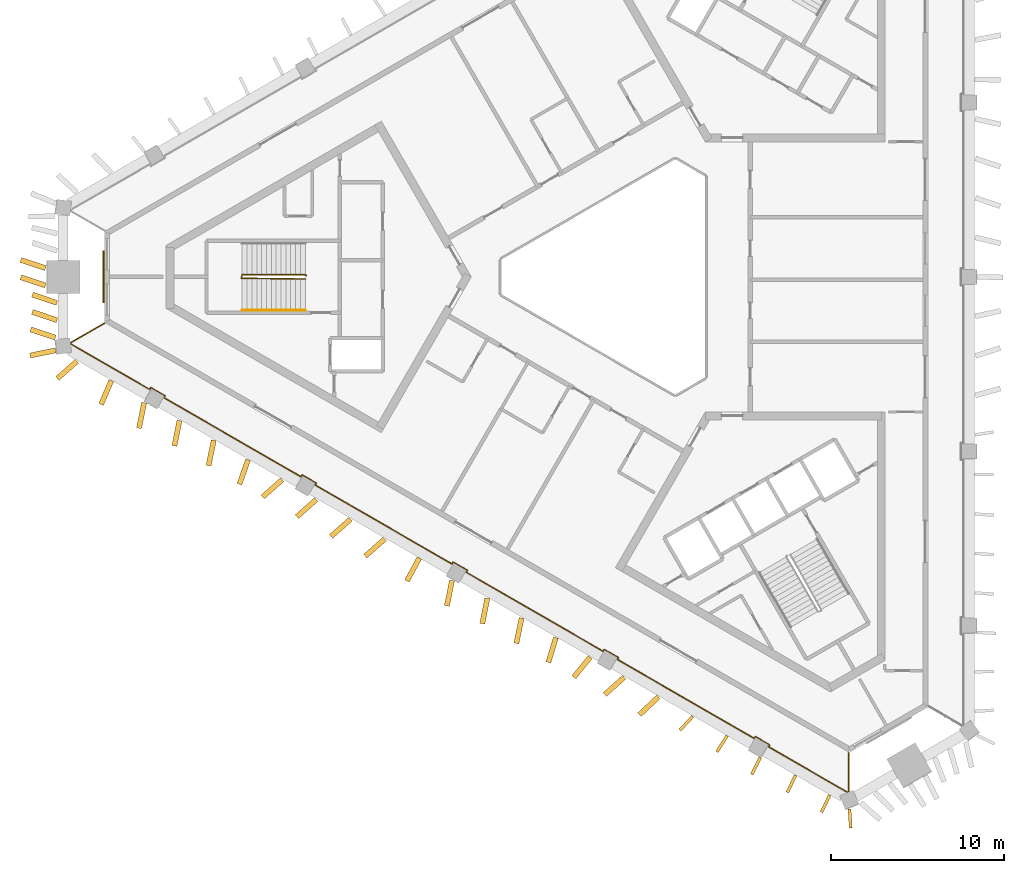
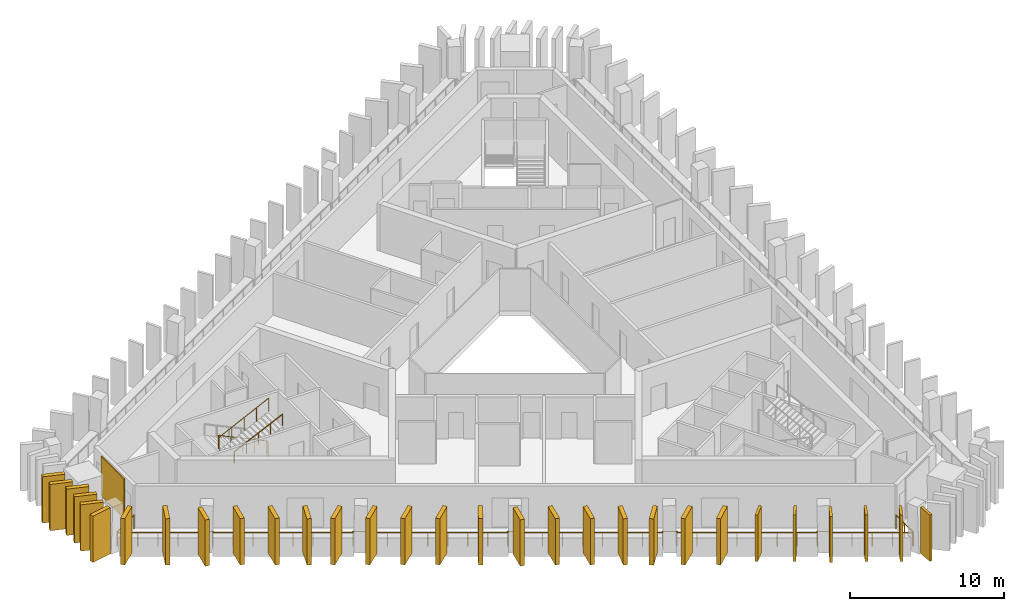
# One storey, part 7 of 9: 30 shading devices, 3 railings, 1 covering.
"""IFC4 building model written with IfcOpenShell, lengths in metres."""

import ifcopenshell
import ifcopenshell.guid

model = None  # the IFC model being written
_history = None  # IfcOwnerHistory: only IFC2X3 demands one
_inside = {}  # id of a spatial element -> (the spatial element, [elements in it])
_under = {}  # id of a project, library or spatial element -> (it, [spatial elements below it])
_declared = {}  # id of a project -> (the project, [libraries it declares])
_typed = {}  # id of a type object -> (the type object, [elements of that type])
_made_of = {}  # id of a material, layer set ... -> (it, [elements and type objects made of it])


def new_model(schema):
    """Start an empty IFC model of exactly this schema.

    Asked for "IFC4X3", IfcOpenShell would pick the latest addendum, in which some entities
    have other attributes; the version numbers below select the first issue.
    IFC2X3 requires an IfcOwnerHistory on every rooted entity: one is made here for all.
    """
    global model, _history
    if schema == "IFC4X3":
        model = ifcopenshell.file(schema_version=(4, 3, 0, 0))
    else:
        model = ifcopenshell.file(schema=schema)
    _inside.clear()
    _under.clear()
    _declared.clear()
    _typed.clear()
    _made_of.clear()
    _history = None
    if model.schema == "IFC2X3":
        org = make("IfcOrganization", Name="unknown")
        user = make(
            "IfcPersonAndOrganization",
            ThePerson=make("IfcPerson", FamilyName="unknown"),
            TheOrganization=org,
        )
        app = make(
            "IfcApplication",
            ApplicationDeveloper=org,
            Version="unknown",
            ApplicationFullName="unknown",
            ApplicationIdentifier="unknown",
        )
        _history = make(
            "IfcOwnerHistory",
            OwningUser=user,
            OwningApplication=app,
            ChangeAction="ADDED",
            CreationDate=0,
        )
    return model


def make(cls, **values):
    """One entity of the class cls with the attributes given. An attribute that is None is left unset."""
    return model.create_entity(
        cls, **{name: value for name, value in values.items() if value is not None}
    )


def rooted(cls, **values):
    """An entity with a GlobalId (a new one), such as an element, a storey or a relation."""
    return make(cls, GlobalId=ifcopenshell.guid.new(), OwnerHistory=_history, **values)


def si_unit(unit_type, name, prefix=None):
    """IfcSIUnit, for example si_unit("LENGTHUNIT", "METRE", prefix="MILLI")."""
    return make("IfcSIUnit", UnitType=unit_type, Prefix=prefix, Name=name)


def assignment(units):
    """IfcUnitAssignment: the units of a project."""
    return None if units is None else make("IfcUnitAssignment", Units=units)


def point(xyz):
    """IfcCartesianPoint."""
    return None if xyz is None else make("IfcCartesianPoint", Coordinates=xyz)


def direction(xyz):
    """IfcDirection."""
    return None if xyz is None else make("IfcDirection", DirectionRatios=xyz)


def frame(location, z_axis=None, x_axis=None):
    """IfcAxis2Placement3D, a coordinate frame: its origin and axes. An axis left out is left unset."""
    return make(
        "IfcAxis2Placement3D",
        Location=point(location),
        Axis=direction(z_axis),
        RefDirection=direction(x_axis),
    )


def frame_2d(location, x_axis=None):
    """IfcAxis2Placement2D, a coordinate frame in the plane: its origin and x axis."""
    return make(
        "IfcAxis2Placement2D", Location=point(location), RefDirection=direction(x_axis)
    )


def origin():
    """The frame at (0, 0, 0) with its axes left unset."""
    return frame((0.0, 0.0, 0.0))


def origin_2d():
    """The frame at (0, 0) in the plane with its x axis left unset."""
    return frame_2d((0.0, 0.0))


def place(relative_to, where):
    """IfcLocalPlacement: puts the frame where relative to a parent placement (None: the world)."""
    return make(
        "IfcLocalPlacement", PlacementRelTo=relative_to, RelativePlacement=where
    )


def context(
    kind, dimensions, precision=None, world=None, true_north=None, identifier=None
):
    """IfcGeometricRepresentationContext, for example the 3D "Model" context."""
    return make(
        "IfcGeometricRepresentationContext",
        ContextIdentifier=identifier,
        ContextType=kind,
        CoordinateSpaceDimension=dimensions,
        Precision=precision,
        WorldCoordinateSystem=world,
        TrueNorth=true_north,
    )


def subcontext(parent, identifier, kind, view, scale=None):
    """IfcGeometricRepresentationSubContext, for example "Body" below "Model"."""
    return make(
        "IfcGeometricRepresentationSubContext",
        ContextIdentifier=identifier,
        ContextType=kind,
        ParentContext=parent,
        TargetScale=scale,
        TargetView=view,
    )


def project(units=None, contexts=None):
    """IfcProject with its units and contexts."""
    return rooted(
        "IfcProject",
        Name="project",
        RepresentationContexts=contexts,
        UnitsInContext=assignment(units),
    )


def spatial(cls, under=None, at=None, **own):
    """A site, building, storey or space (cls), placed at a placement, below another one or the project."""
    s = rooted(cls, ObjectPlacement=at, **own)
    if under is not None:
        _under.setdefault(under.id(), (under, []))[1].append(s)
    return s


def profile(cls, at=None, kind="AREA", **sizes):
    """A parametric profile (cls). Its sizes go by their IFC names, for example OverallWidth=200.0."""
    return make(cls, ProfileType=kind, Position=at, **sizes)


def rectangle(**sizes):
    """IfcRectangleProfileDef."""
    return profile("IfcRectangleProfileDef", **sizes)


def circle(**sizes):
    """IfcCircleProfileDef."""
    return profile("IfcCircleProfileDef", **sizes)


def extrude(swept, where, along, depth):
    """IfcExtrudedAreaSolid: the profile swept, set in the frame where, extruded along a direction by depth."""
    return make(
        "IfcExtrudedAreaSolid",
        SweptArea=swept,
        Position=where,
        ExtrudedDirection=direction(along),
        Depth=depth,
    )


def shape(context_of_items, identifier, shape_type, items):
    """IfcShapeRepresentation: the items that make up one representation, for example the "Body"."""
    return make(
        "IfcShapeRepresentation",
        ContextOfItems=context_of_items,
        RepresentationIdentifier=identifier,
        RepresentationType=shape_type,
        Items=items,
    )


def material(Name=None, Category=None):
    """IfcMaterial."""
    return make("IfcMaterial", Name=Name, Category=Category)


def layer(
    of_material, thickness, ventilated=None, Name=None, Category=None, Priority=None
):
    """IfcMaterialLayer: one layer of a wall or slab, of a material (None: an air gap)."""
    return make(
        "IfcMaterialLayer",
        Material=of_material,
        LayerThickness=thickness,
        IsVentilated=ventilated,
        Name=Name,
        Category=Category,
        Priority=Priority,
    )


def layer_set(layers, Name=None):
    """IfcMaterialLayerSet."""
    return make("IfcMaterialLayerSet", MaterialLayers=layers, LayerSetName=Name)


def made_of(thing, what):
    """Note that an element or type object is made of a material, layer set ...; save() writes the relation."""
    if what is not None:
        _made_of.setdefault(what.id(), (what, []))[1].append(thing)
    return thing


def type_object(cls, material=None, **own):
    """A type object (cls), such as IfcWallType, which elements share."""
    return made_of(rooted(cls, **own), material)


def element(
    cls,
    number,
    at=None,
    inside=None,
    cuts=None,
    type_object=None,
    material=None,
    context=None,
    identifier="Body",
    shape_type=None,
    held_by="IfcProductDefinitionShape",
    body=None,
    shapes=None,
    **own,
):
    """One element of the class cls, such as IfcWall. Its Tag is "e" and its number.

    at: its placement. inside: the storey or other place that contains it. cuts: it is an
    opening in that element (IfcRelVoidsElement). A single representation is given by context,
    identifier, shape_type and body (its items); several are given by shapes. held_by: the class
    of the entity that holds the representations. save() writes the other relations.
    """
    e = rooted(cls, Tag="e%d" % number, ObjectPlacement=at, **own)
    if body is not None:
        shapes = [shape(context, identifier, shape_type, body)]
    if shapes is not None:
        e.Representation = make(held_by, Representations=shapes)
    if inside is not None:
        _inside.setdefault(inside.id(), (inside, []))[1].append(e)
    if cuts is not None:
        rooted(
            "IfcRelVoidsElement", RelatingBuildingElement=cuts, RelatedOpeningElement=e
        )
    if type_object is not None:
        _typed.setdefault(type_object.id(), (type_object, []))[1].append(e)
    return made_of(e, material)


def aggregate(whole, parts):
    """IfcRelAggregates: a whole, such as a stair, and the parts it consists of."""
    return rooted("IfcRelAggregates", RelatingObject=whole, RelatedObjects=parts)


def save(model, path):
    """Write the relations noted so far, then the file.

    IfcRelAggregates (storeys below a building ...), IfcRelContainedInSpatialStructure (elements
    in a storey), IfcRelDefinesByType, IfcRelAssociatesMaterial and IfcRelDeclares: one each for
    every whole, place, type object, material and project.
    """
    for whole, parts in _under.values():
        aggregate(whole, parts)
    for where, things in _inside.values():
        rooted(
            "IfcRelContainedInSpatialStructure",
            RelatedElements=things,
            RelatingStructure=where,
        )
    for kind, things in _typed.values():
        rooted("IfcRelDefinesByType", RelatedObjects=things, RelatingType=kind)
    for what, things in _made_of.values():
        rooted("IfcRelAssociatesMaterial", RelatedObjects=things, RelatingMaterial=what)
    for by, libraries in _declared.values():
        rooted("IfcRelDeclares", RelatingContext=by, RelatedDefinitions=libraries)
    model.write(path)


model = new_model("IFC4")

# Units and contexts
model_context = context("Model", 3, precision=1e-05, world=origin(), true_north=direction((0.0, 1.0)))
body_context = subcontext(model_context, "Body", "Model", "MODEL_VIEW")
ifc_project = project(units=[si_unit("LENGTHUNIT", "METRE"), si_unit("AREAUNIT", "SQUARE_METRE"), si_unit("VOLUMEUNIT", "CUBIC_METRE"), si_unit("PLANEANGLEUNIT", "RADIAN"), si_unit("MASSUNIT", "GRAM", prefix="KILO")], contexts=[model_context])

# Site, building, storey
site_placement = place(None, origin())
site = spatial("IfcSite", under=ifc_project, at=site_placement, CompositionType="ELEMENT")
building_placement = place(site_placement, origin())
building = spatial("IfcBuilding", under=site, at=building_placement, Name="Jabali Bay Hotel Tower and Convention Centre", CompositionType="ELEMENT")
storey_placement = place(building_placement, frame((0.0, 0.0, 242.800048828125)))
storey = spatial("IfcBuildingStorey", under=building, at=storey_placement, Name="L60", CompositionType="ELEMENT", Elevation=242.800048828125)

# Railing
ifc_material_1 = material(Name="Glass", Category="glass")
railing_type_1 = type_object("IfcRailingType", Name="Loggia glass guard 1100", PredefinedType="BALUSTRADE", material=ifc_material_1)
railing_1_placement = place(storey_placement, frame((87.770751953125, 52.530517578125, 0.0)))
element("IfcRailing", 1, at=railing_1_placement, inside=storey, type_object=railing_type_1, Name="Loggia glass guard L60", PredefinedType="BALUSTRADE", context=body_context, shape_type="SweptSolid", body=[
    extrude(circle(Radius=0.02490234375, at=origin_2d()), frame((0.0, 0.0, 1.0751953125), z_axis=(0.0, -1.0, 0.0), x_axis=(0.991444861374, 0.0, 0.13052619222)), (0.0, 0.0, 1.0), 2.24755859375),
    extrude(circle(Radius=0.02490234375, at=origin_2d()), frame((0.0, -2.24755859375, 1.0751953125), z_axis=(-0.920462353345, -0.390831237333, 0.0), x_axis=(0.387487621918, -0.912587670312, 0.13052619222)), (0.0, 0.0, 1.0), 0.06689453125),
    extrude(circle(Radius=0.02490234375, at=origin_2d()), frame((-0.0615234375, -2.273681640625, 1.0751953125), z_axis=(-0.866030281371, 0.499991551677, 0.0), x_axis=(-0.495714054641, -0.858621272259, 0.13052619222)), (0.0, 0.0, 1.0), 5.26171875),
    extrude(circle(Radius=0.02490234375, at=origin_2d()), frame((-4.618408203125, 0.357177734375, 1.0751953125), z_axis=(0.500342721131, 0.865827443207, 0.0), x_axis=(-0.858420169404, 0.496062219791, 0.13052619222)), (0.0, 0.0, 1.0), 0.125),
    extrude(circle(Radius=0.02490234375, at=origin_2d()), frame((-4.555908203125, 0.46533203125, 1.0751953125), z_axis=(-0.865988727248, 0.500063520245, 0.0), x_axis=(-0.495785407507, -0.858580073638, 0.13052619222)), (0.0, 0.0, 1.0), 0.9501953125),
    extrude(circle(Radius=0.02490234375, at=origin_2d()), frame((-5.378662109375, 0.9404296875, 1.0751953125), z_axis=(-0.500342721131, -0.865827443207, 0.0), x_axis=(0.858420169404, -0.496062219791, 0.13052619222)), (0.0, 0.0, 1.0), 0.125),
    extrude(circle(Radius=0.02490234375, at=origin_2d()), frame((-5.441162109375, 0.832275390625, 1.0751953125), z_axis=(-0.866025557469, 0.49999973381, 0.0), x_axis=(-0.495722166775, -0.858616588771, 0.13052619222)), (0.0, 0.0, 1.0), 9.12060546875),
    extrude(circle(Radius=0.02490234375, at=origin_2d()), frame((-13.33984375, 5.392578125, 1.0751953125), z_axis=(0.500342721131, 0.865827443207, 0.0), x_axis=(-0.858420169404, 0.496062219791, 0.13052619222)), (0.0, 0.0, 1.0), 0.125),
    extrude(circle(Radius=0.02490234375, at=origin_2d()), frame((-13.27734375, 5.500732421875, 1.0751953125), z_axis=(-0.865988727248, 0.500063520245, 0.0), x_axis=(-0.495785407507, -0.858580073638, 0.13052619222)), (0.0, 0.0, 1.0), 0.9501953125),
    extrude(circle(Radius=0.02490234375, at=origin_2d()), frame((-14.10009765625, 5.975830078125, 1.0751953125), z_axis=(-0.499497219344, -0.8663154898, 0.0), x_axis=(0.858904040691, -0.495223951389, 0.13052619222)), (0.0, 0.0, 1.0), 0.125244140625),
    extrude(circle(Radius=0.02490234375, at=origin_2d()), frame((-14.16259765625, 5.867431640625, 1.0751953125), z_axis=(-0.866025557469, 0.49999973381, 0.0), x_axis=(-0.495722166775, -0.858616588771, 0.13052619222)), (0.0, 0.0, 1.0), 9.12060546875),
    extrude(circle(Radius=0.02490234375, at=origin_2d()), frame((-22.061279296875, 10.427734375, 1.0751953125), z_axis=(0.499497219344, 0.8663154898, 0.0), x_axis=(-0.858904040691, 0.495223951389, 0.13052619222)), (0.0, 0.0, 1.0), 0.125244140625),
    extrude(circle(Radius=0.02490234375, at=origin_2d()), frame((-21.998779296875, 10.5361328125, 1.0751953125), z_axis=(-0.866100000774, 0.49987077196, 0.0), x_axis=(-0.495594308211, -0.858690395203, 0.13052619222)), (0.0, 0.0, 1.0), 0.949951171875),
    extrude(circle(Radius=0.02490234375, at=origin_2d()), frame((-22.821533203125, 11.010986328125, 1.0751953125), z_axis=(-0.500342721131, -0.865827443207, 0.0), x_axis=(0.858420169404, -0.496062219791, 0.13052619222)), (0.0, 0.0, 1.0), 0.125),
    extrude(circle(Radius=0.02490234375, at=origin_2d()), frame((-22.884033203125, 10.90283203125, 1.0751953125), z_axis=(-0.866025557469, 0.49999973381, 0.0), x_axis=(-0.495722166775, -0.858616588771, 0.13052619222)), (0.0, 0.0, 1.0), 9.12060546875),
    extrude(circle(Radius=0.02490234375, at=origin_2d()), frame((-30.78271484375, 15.463134765625, 1.0751953125), z_axis=(0.500342721131, 0.865827443207, 0.0), x_axis=(-0.858420169404, 0.496062219791, 0.13052619222)), (0.0, 0.0, 1.0), 0.125),
    extrude(circle(Radius=0.02490234375, at=origin_2d()), frame((-30.72021484375, 15.5712890625, 1.0751953125), z_axis=(-0.865988727248, 0.500063520245, 0.0), x_axis=(-0.495785407507, -0.858580073638, 0.13052619222)), (0.0, 0.0, 1.0), 0.9501953125),
    extrude(circle(Radius=0.02490234375, at=origin_2d()), frame((-31.54296875, 16.04638671875, 1.0751953125), z_axis=(-0.499497219344, -0.8663154898, 0.0), x_axis=(0.858904040691, -0.495223951389, 0.13052619222)), (0.0, 0.0, 1.0), 0.125244140625),
    extrude(circle(Radius=0.02490234375, at=origin_2d()), frame((-31.60546875, 15.93798828125, 1.0751953125), z_axis=(-0.866025557469, 0.49999973381, 0.0), x_axis=(-0.495722166775, -0.858616588771, 0.13052619222)), (0.0, 0.0, 1.0), 9.12060546875),
    extrude(circle(Radius=0.02490234375, at=origin_2d()), frame((-39.504150390625, 20.498291015625, 1.0751953125), z_axis=(0.499497219344, 0.8663154898, 0.0), x_axis=(-0.858904040691, 0.495223951389, 0.13052619222)), (0.0, 0.0, 1.0), 0.125244140625),
    extrude(circle(Radius=0.02490234375, at=origin_2d()), frame((-39.441650390625, 20.606689453125, 1.0751953125), z_axis=(-0.865988727248, 0.500063520245, 0.0), x_axis=(-0.495785407507, -0.858580073638, 0.13052619222)), (0.0, 0.0, 1.0), 0.9501953125),
    extrude(circle(Radius=0.02490234375, at=origin_2d()), frame((-40.264404296875, 21.081787109375, 1.0751953125), z_axis=(-0.499497219344, -0.8663154898, 0.0), x_axis=(0.858904040691, -0.495223951389, 0.13052619222)), (0.0, 0.0, 1.0), 0.125244140625),
    extrude(circle(Radius=0.02490234375, at=origin_2d()), frame((-40.326904296875, 20.973388671875, 1.0751953125), z_axis=(-0.866030281371, 0.499991551677, 0.0), x_axis=(-0.495714054641, -0.858621272259, 0.13052619222)), (0.0, 0.0, 1.0), 5.26171875),
    extrude(circle(Radius=0.02490234375, at=origin_2d()), frame((-44.8837890625, 23.604248046875, 1.0751953125), z_axis=(-0.120005554105, 0.99277322032, 0.0), x_axis=(-0.984279907796, -0.118978889953, 0.13052619222)), (0.0, 0.0, 1.0), 0.067138671875),
    extrude(circle(Radius=0.02490234375, at=origin_2d()), frame((-44.891845703125, 23.6708984375, 1.0751953125), z_axis=(0.86603545466, 0.499982590969, 0.0), x_axis=(-0.495705170593, 0.85862640129, 0.13052619222)), (0.0, 0.0, 1.0), 2.24755859375),
    extrude(circle(Radius=0.02001953125, at=origin_2d()), origin(), (0.0, 0.0, 1.0), 1.050048828125),
    extrude(circle(Radius=0.02001953125, at=origin_2d()), frame((0.0, -1.123779296875, 0.0)), (0.0, 0.0, 1.0), 1.050048828125),
    extrude(circle(Radius=0.02001953125, at=origin_2d()), frame((0.0, -2.24755859375, 0.0)), (0.0, 0.0, 1.0), 1.050048828125),
    extrude(circle(Radius=0.02001953125, at=origin_2d()), frame((-0.0615234375, -2.273681640625, 0.0)), (0.0, 0.0, 1.0), 1.050048828125),
    extrude(circle(Radius=0.02001953125, at=origin_2d()), frame((-1.20068359375, -1.615966796875, 0.0)), (0.0, 0.0, 1.0), 1.050048828125),
    extrude(circle(Radius=0.02001953125, at=origin_2d()), frame((-2.33984375, -0.958251953125, 0.0)), (0.0, 0.0, 1.0), 1.050048828125),
    extrude(circle(Radius=0.02001953125, at=origin_2d()), frame((-3.479248046875, -0.300537109375, 0.0)), (0.0, 0.0, 1.0), 1.050048828125),
    extrude(circle(Radius=0.02001953125, at=origin_2d()), frame((-4.618408203125, 0.357177734375, 0.0)), (0.0, 0.0, 1.0), 1.050048828125),
    extrude(circle(Radius=0.02001953125, at=origin_2d()), frame((-4.555908203125, 0.46533203125, 0.0)), (0.0, 0.0, 1.0), 1.050048828125),
    extrude(circle(Radius=0.02001953125, at=origin_2d()), frame((-5.378662109375, 0.9404296875, 0.0)), (0.0, 0.0, 1.0), 1.050048828125),
    extrude(circle(Radius=0.02001953125, at=origin_2d()), frame((-5.441162109375, 0.832275390625, 0.0)), (0.0, 0.0, 1.0), 1.050048828125),
    extrude(circle(Radius=0.02001953125, at=origin_2d()), frame((-6.569580078125, 1.483642578125, 0.0)), (0.0, 0.0, 1.0), 1.050048828125),
    extrude(circle(Radius=0.02001953125, at=origin_2d()), frame((-7.697998046875, 2.13525390625, 0.0)), (0.0, 0.0, 1.0), 1.050048828125),
    extrude(circle(Radius=0.02001953125, at=origin_2d()), frame((-8.826416015625, 2.78662109375, 0.0)), (0.0, 0.0, 1.0), 1.050048828125),
    extrude(circle(Radius=0.02001953125, at=origin_2d()), frame((-9.95458984375, 3.438232421875, 0.0)), (0.0, 0.0, 1.0), 1.050048828125),
    extrude(circle(Radius=0.02001953125, at=origin_2d()), frame((-11.0830078125, 4.089599609375, 0.0)), (0.0, 0.0, 1.0), 1.050048828125),
    extrude(circle(Radius=0.02001953125, at=origin_2d()), frame((-12.21142578125, 4.7412109375, 0.0)), (0.0, 0.0, 1.0), 1.050048828125),
    extrude(circle(Radius=0.02001953125, at=origin_2d()), frame((-13.33984375, 5.392578125, 0.0)), (0.0, 0.0, 1.0), 1.050048828125),
    extrude(circle(Radius=0.02001953125, at=origin_2d()), frame((-13.27734375, 5.500732421875, 0.0)), (0.0, 0.0, 1.0), 1.050048828125),
    extrude(circle(Radius=0.02001953125, at=origin_2d()), frame((-14.10009765625, 5.975830078125, 0.0)), (0.0, 0.0, 1.0), 1.050048828125),
    extrude(circle(Radius=0.02001953125, at=origin_2d()), frame((-14.16259765625, 5.867431640625, 0.0)), (0.0, 0.0, 1.0), 1.050048828125),
    extrude(circle(Radius=0.02001953125, at=origin_2d()), frame((-15.291015625, 6.518798828125, 0.0)), (0.0, 0.0, 1.0), 1.050048828125),
    extrude(circle(Radius=0.02001953125, at=origin_2d()), frame((-16.41943359375, 7.17041015625, 0.0)), (0.0, 0.0, 1.0), 1.050048828125),
    extrude(circle(Radius=0.02001953125, at=origin_2d()), frame((-17.5478515625, 7.82177734375, 0.0)), (0.0, 0.0, 1.0), 1.050048828125),
    extrude(circle(Radius=0.02001953125, at=origin_2d()), frame((-18.676025390625, 8.473388671875, 0.0)), (0.0, 0.0, 1.0), 1.050048828125),
    extrude(circle(Radius=0.02001953125, at=origin_2d()), frame((-19.804443359375, 9.124755859375, 0.0)), (0.0, 0.0, 1.0), 1.050048828125),
    extrude(circle(Radius=0.02001953125, at=origin_2d()), frame((-20.932861328125, 9.7763671875, 0.0)), (0.0, 0.0, 1.0), 1.050048828125),
    extrude(circle(Radius=0.02001953125, at=origin_2d()), frame((-22.061279296875, 10.427734375, 0.0)), (0.0, 0.0, 1.0), 1.050048828125),
    extrude(circle(Radius=0.02001953125, at=origin_2d()), frame((-21.998779296875, 10.5361328125, 0.0)), (0.0, 0.0, 1.0), 1.050048828125),
    extrude(circle(Radius=0.02001953125, at=origin_2d()), frame((-22.821533203125, 11.010986328125, 0.0)), (0.0, 0.0, 1.0), 1.050048828125),
    extrude(circle(Radius=0.02001953125, at=origin_2d()), frame((-22.884033203125, 10.90283203125, 0.0)), (0.0, 0.0, 1.0), 1.050048828125),
    extrude(circle(Radius=0.02001953125, at=origin_2d()), frame((-24.012451171875, 11.55419921875, 0.0)), (0.0, 0.0, 1.0), 1.050048828125),
    extrude(circle(Radius=0.02001953125, at=origin_2d()), frame((-25.140869140625, 12.205810546875, 0.0)), (0.0, 0.0, 1.0), 1.050048828125),
    extrude(circle(Radius=0.02001953125, at=origin_2d()), frame((-26.269287109375, 12.857177734375, 0.0)), (0.0, 0.0, 1.0), 1.050048828125),
    extrude(circle(Radius=0.02001953125, at=origin_2d()), frame((-27.3974609375, 13.5087890625, 0.0)), (0.0, 0.0, 1.0), 1.050048828125),
    extrude(circle(Radius=0.02001953125, at=origin_2d()), frame((-28.52587890625, 14.16015625, 0.0)), (0.0, 0.0, 1.0), 1.050048828125),
    extrude(circle(Radius=0.02001953125, at=origin_2d()), frame((-29.654296875, 14.811767578125, 0.0)), (0.0, 0.0, 1.0), 1.050048828125),
    extrude(circle(Radius=0.02001953125, at=origin_2d()), frame((-30.78271484375, 15.463134765625, 0.0)), (0.0, 0.0, 1.0), 1.050048828125),
    extrude(circle(Radius=0.02001953125, at=origin_2d()), frame((-30.72021484375, 15.5712890625, 0.0)), (0.0, 0.0, 1.0), 1.050048828125),
    extrude(circle(Radius=0.02001953125, at=origin_2d()), frame((-31.54296875, 16.04638671875, 0.0)), (0.0, 0.0, 1.0), 1.050048828125),
    extrude(circle(Radius=0.02001953125, at=origin_2d()), frame((-31.60546875, 15.93798828125, 0.0)), (0.0, 0.0, 1.0), 1.050048828125),
    extrude(circle(Radius=0.02001953125, at=origin_2d()), frame((-32.73388671875, 16.58935546875, 0.0)), (0.0, 0.0, 1.0), 1.050048828125),
    extrude(circle(Radius=0.02001953125, at=origin_2d()), frame((-33.8623046875, 17.240966796875, 0.0)), (0.0, 0.0, 1.0), 1.050048828125),
    extrude(circle(Radius=0.02001953125, at=origin_2d()), frame((-34.99072265625, 17.892333984375, 0.0)), (0.0, 0.0, 1.0), 1.050048828125),
    extrude(circle(Radius=0.02001953125, at=origin_2d()), frame((-36.118896484375, 18.5439453125, 0.0)), (0.0, 0.0, 1.0), 1.050048828125),
    extrude(circle(Radius=0.02001953125, at=origin_2d()), frame((-37.247314453125, 19.1953125, 0.0)), (0.0, 0.0, 1.0), 1.050048828125),
    extrude(circle(Radius=0.02001953125, at=origin_2d()), frame((-38.375732421875, 19.846923828125, 0.0)), (0.0, 0.0, 1.0), 1.050048828125),
    extrude(circle(Radius=0.02001953125, at=origin_2d()), frame((-39.504150390625, 20.498291015625, 0.0)), (0.0, 0.0, 1.0), 1.050048828125),
    extrude(circle(Radius=0.02001953125, at=origin_2d()), frame((-39.441650390625, 20.606689453125, 0.0)), (0.0, 0.0, 1.0), 1.050048828125),
    extrude(circle(Radius=0.02001953125, at=origin_2d()), frame((-40.264404296875, 21.081787109375, 0.0)), (0.0, 0.0, 1.0), 1.050048828125),
    extrude(circle(Radius=0.02001953125, at=origin_2d()), frame((-40.326904296875, 20.973388671875, 0.0)), (0.0, 0.0, 1.0), 1.050048828125),
    extrude(circle(Radius=0.02001953125, at=origin_2d()), frame((-41.466064453125, 21.631103515625, 0.0)), (0.0, 0.0, 1.0), 1.050048828125),
    extrude(circle(Radius=0.02001953125, at=origin_2d()), frame((-42.60546875, 22.288818359375, 0.0)), (0.0, 0.0, 1.0), 1.050048828125),
    extrude(circle(Radius=0.02001953125, at=origin_2d()), frame((-43.74462890625, 22.946533203125, 0.0)), (0.0, 0.0, 1.0), 1.050048828125),
    extrude(circle(Radius=0.02001953125, at=origin_2d()), frame((-44.8837890625, 23.604248046875, 0.0)), (0.0, 0.0, 1.0), 1.050048828125),
    extrude(circle(Radius=0.02001953125, at=origin_2d()), frame((-44.891845703125, 23.6708984375, 0.0)), (0.0, 0.0, 1.0), 1.050048828125),
    extrude(circle(Radius=0.02001953125, at=origin_2d()), frame((-43.91845703125, 24.23291015625, 0.0)), (0.0, 0.0, 1.0), 1.050048828125),
    extrude(circle(Radius=0.02001953125, at=origin_2d()), frame((-42.9453125, 24.794677734375, 0.0)), (0.0, 0.0, 1.0), 1.050048828125),
])

# Shading devices
ifc_material_2 = material(Name="Precast concrete C60", Category="concrete")
ifc_layer_1 = layer(ifc_material_2, 0.179931640625)
ifc_layer_set_1 = layer_set([ifc_layer_1], Name="Precast concrete C60")
shading_device_type_1 = type_object("IfcShadingDeviceType", Name="Precast fin 3680 x 1100", PredefinedType="USERDEFINED", material=ifc_layer_set_1)
for number, where, z_axis, x_axis, name in (
    (2, (78.78271484375, 54.645263671875, 0.010009765625), (0.0, 0.0, 1.0), (-0.681234000354, -0.732065732541, 0.0), "Fin L60 080"),
    (3, (80.7646484375, 53.52001953125, 0.010009765625), (0.0, 0.0, 1.0), (-0.536904215207, -0.843643208764, 0.0), "Fin L60 081"),
):
    element("IfcShadingDevice", number, at=place(storey_placement, frame(where, z_axis=z_axis, x_axis=x_axis)), inside=storey, type_object=shading_device_type_1, Name=name, ObjectType="FIN", PredefinedType="USERDEFINED", context=body_context, shape_type="SweptSolid", body=[
        extrude(rectangle(XDim=1.099853515625, YDim=0.179931640625, at=frame_2d((0.5498046875, 0.0))), origin(), (0.0, 0.0, 1.0), 3.679931640625),
    ])
shading_device_1_placement = place(storey_placement, frame((82.672607421875, 52.2666015625, 0.010009765625), z_axis=(0.0, 0.0, 1.0), x_axis=(-0.451646878309, -0.892196781721, 0.0)))
element("IfcShadingDevice", 4, at=shading_device_1_placement, inside=storey, type_object=shading_device_type_1, Name="Fin L60 082", ObjectType="FIN", PredefinedType="USERDEFINED", context=body_context, shape_type="SweptSolid", body=[
    extrude(rectangle(XDim=1.10009765625, YDim=0.179931640625, at=frame_2d((0.550048828125, 0.0))), origin(), (0.0, 0.0, 1.0), 3.679931640625),
])
shading_device_2_placement = place(storey_placement, frame((84.710693359375, 51.238525390625, 0.010009765625), z_axis=(0.0, 0.0, 1.0), x_axis=(-0.436170027899, -0.8998642713, 0.0)))
element("IfcShadingDevice", 5, at=shading_device_2_placement, inside=storey, type_object=shading_device_type_1, Name="Fin L60 083", ObjectType="FIN", PredefinedType="USERDEFINED", context=body_context, shape_type="SweptSolid", body=[
    extrude(rectangle(XDim=1.099853515625, YDim=0.179931640625, at=frame_2d((0.5498046875, 0.0))), origin(), (0.0, 0.0, 1.0), 3.679931640625),
])
for number, where, z_axis, x_axis, name in (
    (6, (86.684814453125, 50.099365234375, 0.010009765625), (0.0, 0.0, 1.0), (-0.440543122247, -0.897731450625, 0.0), "Fin L60 084"),
    (7, (87.82080078125, 49.294677734375, 0.010009765625), (0.0, 0.0, 1.0), (0.066577928929, -0.997781228216, 0.0), "Fin L60 098"),
):
    element("IfcShadingDevice", number, at=place(storey_placement, frame(where, z_axis=z_axis, x_axis=x_axis)), inside=storey, type_object=shading_device_type_1, Name=name, ObjectType="FIN", PredefinedType="USERDEFINED", context=body_context, shape_type="SweptSolid", body=[
        extrude(rectangle(XDim=1.10009765625, YDim=0.179931640625, at=frame_2d((0.550048828125, 0.0))), origin(), (0.0, 0.0, 1.0), 3.679931640625),
    ])
ifc_layer_2 = layer(ifc_material_2, 0.300048828125)
ifc_layer_set_2 = layer_set([ifc_layer_2], Name="Precast concrete C60")
shading_device_type_2 = type_object("IfcShadingDeviceType", Name="Precast fin 3680 x 1500", PredefinedType="USERDEFINED", material=ifc_layer_set_2)
shading_device_3_placement = place(storey_placement, frame((41.42822265625, 80.500244140625, 0.010009765625), z_axis=(0.0, 0.0, 1.0), x_axis=(-0.94796468296, 0.318375501351, 0.0)))
element("IfcShadingDevice", 8, at=shading_device_3_placement, inside=storey, type_object=shading_device_type_2, Name="Fin L60 057", ObjectType="FIN", PredefinedType="USERDEFINED", context=body_context, shape_type="SweptSolid", body=[
    extrude(rectangle(XDim=1.5, YDim=0.300048828125, at=frame_2d((0.75, 0.0))), origin(), (0.0, 0.0, 1.0), 3.679931640625),
])
for number, where, z_axis, x_axis, name in (
    (9, (41.42822265625, 79.499755859375, 0.010009765625), (0.0, 0.0, 1.0), (-0.948013799223, 0.318229220034, 0.0), "Fin L60 058"),
    (10, (42.0908203125, 78.4990234375, 0.010009765625), (0.0, 0.0, 1.0), (-0.948013799223, 0.318229220034, 0.0), "Fin L60 059"),
    (11, (42.0908203125, 77.498291015625, 0.010009765625), (0.0, 0.0, 1.0), (-0.948013799223, 0.318229220034, 0.0), "Fin L60 060"),
):
    element("IfcShadingDevice", number, at=place(storey_placement, frame(where, z_axis=z_axis, x_axis=x_axis)), inside=storey, type_object=shading_device_type_2, Name=name, ObjectType="FIN", PredefinedType="USERDEFINED", context=body_context, shape_type="SweptSolid", body=[
        extrude(rectangle(XDim=1.499755859375, YDim=0.300048828125, at=frame_2d((0.75, 0.0))), origin(), (0.0, 0.0, 1.0), 3.679931640625),
    ])
shading_device_4_placement = place(storey_placement, frame((41.995849609375, 76.49755859375, 0.010009765625), z_axis=(0.0, 0.0, 1.0), x_axis=(-0.947981177855, 0.3183263835, 0.0)))
element("IfcShadingDevice", 12, at=shading_device_4_placement, inside=storey, type_object=shading_device_type_2, Name="Fin L60 061", ObjectType="FIN", PredefinedType="USERDEFINED", context=body_context, shape_type="SweptSolid", body=[
    extrude(rectangle(XDim=1.500244140625, YDim=0.300048828125, at=frame_2d((0.75, 0.0))), origin(), (0.0, 0.0, 1.0), 3.679931640625),
])
for number, where, z_axis, x_axis, name in (
    (13, (43.2421875, 75.1328125, 0.010009765625), (0.0, 0.0, 1.0), (-0.749685839111, -0.66179388229, 0.0), "Fin L60 062"),
    (14, (45.23095703125, 74.01953125, 0.010009765625), (0.0, 0.0, 1.0), (-0.395509839888, -0.918461739296, 0.0), "Fin L60 063"),
    (15, (47.123291015625, 72.7392578125, 0.010009765625), (0.0, 0.0, 1.0), (-0.198244099119, -0.980152680537, 0.0), "Fin L60 064"),
    (16, (49.163330078125, 71.71435546875, 0.010009765625), (0.0, 0.0, 1.0), (-0.198400456872, -0.980121042889, 0.0), "Fin L60 065"),
):
    element("IfcShadingDevice", number, at=place(storey_placement, frame(where, z_axis=z_axis, x_axis=x_axis)), inside=storey, type_object=shading_device_type_2, Name=name, ObjectType="FIN", PredefinedType="USERDEFINED", context=body_context, shape_type="SweptSolid", body=[
        extrude(rectangle(XDim=1.5, YDim=0.300048828125, at=frame_2d((0.75, 0.0))), origin(), (0.0, 0.0, 1.0), 3.679931640625),
    ])
shading_device_5_placement = place(storey_placement, frame((51.136962890625, 70.57470703125, 0.010009765625), z_axis=(0.0, 0.0, 1.0), x_axis=(-0.198432110916, -0.980114634804, 0.0)))
element("IfcShadingDevice", 17, at=shading_device_5_placement, inside=storey, type_object=shading_device_type_2, Name="Fin L60 066", ObjectType="FIN", PredefinedType="USERDEFINED", context=body_context, shape_type="SweptSolid", body=[
    extrude(rectangle(XDim=1.499755859375, YDim=0.300048828125, at=frame_2d((0.75, 0.0))), origin(), (0.0, 0.0, 1.0), 3.679931640625),
])
shading_device_6_placement = place(storey_placement, frame((53.12109375, 69.453125, 0.010009765625), z_axis=(0.0, 0.0, 1.0), x_axis=(-0.334768855181, -0.942300277831, 0.0)))
element("IfcShadingDevice", 18, at=shading_device_6_placement, inside=storey, type_object=shading_device_type_2, Name="Fin L60 067", ObjectType="FIN", PredefinedType="USERDEFINED", context=body_context, shape_type="SweptSolid", body=[
    extrude(rectangle(XDim=1.500244140625, YDim=0.300048828125, at=frame_2d((0.75, 0.0))), origin(), (0.0, 0.0, 1.0), 3.679931640625),
])
shading_device_7_placement = place(storey_placement, frame((55.084716796875, 68.296142578125, 0.010009765625), z_axis=(0.0, 0.0, 1.0), x_axis=(-0.747696595582, -0.664040511531, 0.0)))
element("IfcShadingDevice", 19, at=shading_device_7_placement, inside=storey, type_object=shading_device_type_2, Name="Fin L60 068", ObjectType="FIN", PredefinedType="USERDEFINED", context=body_context, shape_type="SweptSolid", body=[
    extrude(rectangle(XDim=1.5, YDim=0.300048828125, at=frame_2d((0.75, 0.0))), origin(), (0.0, 0.0, 1.0), 3.679931640625),
])
shading_device_8_placement = place(storey_placement, frame((57.05810546875, 67.15625, 0.010009765625), z_axis=(0.0, 0.0, 1.0), x_axis=(-0.749614540616, -0.661874641074, 0.0)))
element("IfcShadingDevice", 20, at=shading_device_8_placement, inside=storey, type_object=shading_device_type_2, Name="Fin L60 069", ObjectType="FIN", PredefinedType="USERDEFINED", context=body_context, shape_type="SweptSolid", body=[
    extrude(rectangle(XDim=1.499755859375, YDim=0.300048828125, at=frame_2d((0.75, 0.0))), origin(), (0.0, 0.0, 1.0), 3.679931640625),
])
for number, where, z_axis, x_axis, name in (
    (21, (59.031982421875, 66.0166015625, 0.010009765625), (0.0, 0.0, 1.0), (-0.749685839111, -0.66179388229, 0.0), "Fin L60 070"),
    (22, (61.005615234375, 64.877197265625, 0.010009765625), (0.0, 0.0, 1.0), (-0.749685839111, -0.66179388229, 0.0), "Fin L60 071"),
):
    element("IfcShadingDevice", number, at=place(storey_placement, frame(where, z_axis=z_axis, x_axis=x_axis)), inside=storey, type_object=shading_device_type_2, Name=name, ObjectType="FIN", PredefinedType="USERDEFINED", context=body_context, shape_type="SweptSolid", body=[
        extrude(rectangle(XDim=1.5, YDim=0.300048828125, at=frame_2d((0.75, 0.0))), origin(), (0.0, 0.0, 1.0), 3.679931640625),
    ])
shading_device_9_placement = place(storey_placement, frame((63.001220703125, 63.775634765625, 0.010009765625), z_axis=(0.0, 0.0, 1.0), x_axis=(-0.477163690056, -0.878814435983, 0.0)))
element("IfcShadingDevice", 23, at=shading_device_9_placement, inside=storey, type_object=shading_device_type_2, Name="Fin L60 072", ObjectType="FIN", PredefinedType="USERDEFINED", context=body_context, shape_type="SweptSolid", body=[
    extrude(rectangle(XDim=1.500244140625, YDim=0.300048828125, at=frame_2d((0.75, 0.0))), origin(), (0.0, 0.0, 1.0), 3.679931640625),
])
shading_device_10_placement = place(storey_placement, frame((64.88671875, 62.4833984375, 0.010009765625), z_axis=(0.0, 0.0, 1.0), x_axis=(-0.198400456872, -0.980121042889, 0.0)))
element("IfcShadingDevice", 24, at=shading_device_10_placement, inside=storey, type_object=shading_device_type_2, Name="Fin L60 073", ObjectType="FIN", PredefinedType="USERDEFINED", context=body_context, shape_type="SweptSolid", body=[
    extrude(rectangle(XDim=1.5, YDim=0.300048828125, at=frame_2d((0.75, 0.0))), origin(), (0.0, 0.0, 1.0), 3.679931640625),
])
shading_device_11_placement = place(storey_placement, frame((66.9267578125, 61.45849609375, 0.010009765625), z_axis=(0.0, 0.0, 1.0), x_axis=(-0.198432110916, -0.980114634804, 0.0)))
element("IfcShadingDevice", 25, at=shading_device_11_placement, inside=storey, type_object=shading_device_type_2, Name="Fin L60 074", ObjectType="FIN", PredefinedType="USERDEFINED", context=body_context, shape_type="SweptSolid", body=[
    extrude(rectangle(XDim=1.499755859375, YDim=0.300048828125, at=frame_2d((0.75, 0.0))), origin(), (0.0, 0.0, 1.0), 3.679931640625),
])
shading_device_12_placement = place(storey_placement, frame((68.900390625, 60.319091796875, 0.010009765625), z_axis=(0.0, 0.0, 1.0), x_axis=(-0.198400456872, -0.980121042889, 0.0)))
element("IfcShadingDevice", 26, at=shading_device_12_placement, inside=storey, type_object=shading_device_type_2, Name="Fin L60 075", ObjectType="FIN", PredefinedType="USERDEFINED", context=body_context, shape_type="SweptSolid", body=[
    extrude(rectangle(XDim=1.5, YDim=0.300048828125, at=frame_2d((0.75, 0.0))), origin(), (0.0, 0.0, 1.0), 3.679931640625),
])
shading_device_13_placement = place(storey_placement, frame((70.880859375, 59.191162109375, 0.010009765625), z_axis=(0.0, 0.0, 1.0), x_axis=(-0.288602060612, -0.957449137349, 0.0)))
element("IfcShadingDevice", 27, at=shading_device_13_placement, inside=storey, type_object=shading_device_type_2, Name="Fin L60 076", ObjectType="FIN", PredefinedType="USERDEFINED", context=body_context, shape_type="SweptSolid", body=[
    extrude(rectangle(XDim=1.499755859375, YDim=0.300048828125, at=frame_2d((0.75, 0.0))), origin(), (0.0, 0.0, 1.0), 3.679931640625),
])
for number, where, z_axis, x_axis, name in (
    (28, (72.85986328125, 58.060791015625, 0.010009765625), (0.0, 0.0, 1.0), (-0.631143900697, -0.775665763466, 0.0), "Fin L60 077"),
    (29, (74.822021484375, 56.9013671875, 0.010009765625), (0.0, 0.0, 1.0), (-0.745088054645, -0.666966109203, 0.0), "Fin L60 078"),
    (30, (76.79736328125, 55.7646484375, 0.010009765625), (0.0, 0.0, 1.0), (-0.729527052197, -0.683951957459, 0.0), "Fin L60 079"),
    (31, (42.014892578125, 75.76025390625, 0.010009765625), (0.0, 0.0, 1.0), (-0.980121042889, -0.198400456872, 0.0), "Fin L60 097"),
):
    element("IfcShadingDevice", number, at=place(storey_placement, frame(where, z_axis=z_axis, x_axis=x_axis)), inside=storey, type_object=shading_device_type_2, Name=name, ObjectType="FIN", PredefinedType="USERDEFINED", context=body_context, shape_type="SweptSolid", body=[
        extrude(rectangle(XDim=1.5, YDim=0.300048828125, at=frame_2d((0.75, 0.0))), origin(), (0.0, 0.0, 1.0), 3.679931640625),
    ])

# Covering
ifc_material_3 = material(Name="Precast concrete C40/50", Category="concrete")
ifc_layer_3 = layer(ifc_material_3, 0.080078125)
ifc_layer_set_3 = layer_set([ifc_layer_3], Name="Precast concrete C40/50")
covering_type = type_object("IfcCoveringType", Name="Relief panel 3000 x 3150", PredefinedType="CLADDING", material=ifc_layer_set_3)
covering_placement = place(storey_placement, frame((44.785400390625, 80.0, 0.10009765625), z_axis=(0.0, 0.0, 1.0), x_axis=(0.0, 1.0, 0.0)))
element("IfcCovering", 32, at=covering_placement, inside=storey, type_object=covering_type, Name="Relief panel L60", PredefinedType="CLADDING", context=body_context, shape_type="SweptSolid", body=[
    extrude(rectangle(XDim=3.0, YDim=0.080078125, at=origin_2d()), origin(), (0.0, 0.0, 1.0), 3.14990234375),
])

# Railings
ifc_material_4 = material(Name="Steel Q355B", Category="steel")
railing_type_2 = type_object("IfcRailingType", Name="Stair guard 1100", PredefinedType="GUARDRAIL", material=ifc_material_4)
railing_2_placement = place(storey_placement, frame((56.469970703125, 80.074951171875, 0.0)))
element("IfcRailing", 33, at=railing_2_placement, inside=storey, type_object=railing_type_2, Name="L60 ST1 stair guard 1", PredefinedType="GUARDRAIL", context=body_context, shape_type="SweptSolid", body=[
    extrude(circle(Radius=0.02392578125, at=origin_2d()), frame((0.0, 0.0, 1.076171875), z_axis=(-0.333993628408, 0.333993628408, 0.881417331555), x_axis=(-0.707106781187, -0.707106781187, 0.0)), (0.0, 0.0, 1.0), 0.14990234375),
    extrude(circle(Radius=0.02392578125, at=origin_2d()), frame((-0.050048828125, 0.050048828125, 1.2080078125), z_axis=(-0.904350763662, 0.0, 0.426789990819), x_axis=(0.0, -1.0, 0.0)), (0.0, 0.0, 1.0), 4.02490234375),
    extrude(circle(Radius=0.02392578125, at=origin_2d()), frame((-3.68994140625, 0.050048828125, 2.92578125), z_axis=(-0.242814311512, -0.970072785993, 0.0), x_axis=(0.970072785993, -0.242814311512, 0.0)), (0.0, 0.0, 1.0), 0.2060546875),
    extrude(circle(Radius=0.02392578125, at=origin_2d()), frame((-3.739990234375, -0.14990234375, 2.92578125), z_axis=(0.893864111827, -0.012124000458, 0.448174026692), x_axis=(0.013562335953, 0.999908027292, 0.0)), (0.0, 0.0, 1.0), 4.128173828125),
    extrude(circle(Radius=0.02099609375, at=origin_2d()), origin(), (0.0, 0.0, 1.0), 1.052001953125),
    extrude(circle(Radius=0.02099609375, at=origin_2d()), frame((-0.050048828125, 0.050048828125, 0.132080078125)), (0.0, 0.0, 1.0), 1.052001953125),
    extrude(circle(Radius=0.02099609375, at=origin_2d()), frame((-0.9599609375, 0.050048828125, 0.5615234375)), (0.0, 0.0, 1.0), 1.052001953125),
    extrude(circle(Radius=0.02099609375, at=origin_2d()), frame((-1.8701171875, 0.050048828125, 0.990966796875)), (0.0, 0.0, 1.0), 1.052001953125),
    extrude(circle(Radius=0.02099609375, at=origin_2d()), frame((-2.780029296875, 0.050048828125, 1.42041015625)), (0.0, 0.0, 1.0), 1.052001953125),
    extrude(circle(Radius=0.02099609375, at=origin_2d()), frame((-3.68994140625, 0.050048828125, 1.849853515625)), (0.0, 0.0, 1.0), 1.052001953125),
    extrude(circle(Radius=0.02099609375, at=origin_2d()), frame((-3.739990234375, -0.14990234375, 1.849853515625)), (0.0, 0.0, 1.0), 1.052001953125),
    extrude(circle(Radius=0.02099609375, at=origin_2d()), frame((-2.8173828125, -0.162353515625, 2.3125)), (0.0, 0.0, 1.0), 1.052001953125),
    extrude(circle(Radius=0.02099609375, at=origin_2d()), frame((-1.89501953125, -0.1748046875, 2.77490234375)), (0.0, 0.0, 1.0), 1.052001953125),
    extrude(circle(Radius=0.02099609375, at=origin_2d()), frame((-0.97265625, -0.1875, 3.2373046875)), (0.0, 0.0, 1.0), 1.052001953125),
    extrude(circle(Radius=0.02099609375, at=origin_2d()), frame((-0.050048828125, -0.199951171875, 3.699951171875)), (0.0, 0.0, 1.0), 1.052001953125),
])
railing_type_3 = type_object("IfcRailingType", Name="Stair handrail 900", PredefinedType="HANDRAIL", material=ifc_material_4)
railing_3_placement = place(storey_placement, frame((52.780029296875, 78.074951171875, 1.982177734375)))
element("IfcRailing", 34, at=railing_3_placement, inside=storey, type_object=railing_type_3, Name="L60 ST1 stair handrail 2", PredefinedType="HANDRAIL", context=body_context, shape_type="SweptSolid", body=[
    extrude(circle(Radius=0.02392578125, at=origin_2d()), frame((0.0, 0.0, 0.8759765625), z_axis=(0.904350763662, 0.0, 0.426789990819), x_axis=(0.0, 1.0, 0.0)), (0.0, 0.0, 1.0), 4.02490234375),
    extrude(circle(Radius=0.02099609375, at=origin_2d()), origin(), (0.0, 0.0, 1.0), 0.851806640625),
    extrude(circle(Radius=0.02099609375, at=origin_2d()), frame((0.909912109375, 0.0, 0.429443359375)), (0.0, 0.0, 1.0), 0.851806640625),
    extrude(circle(Radius=0.02099609375, at=origin_2d()), frame((1.81982421875, 0.0, 0.85888671875)), (0.0, 0.0, 1.0), 0.851806640625),
    extrude(circle(Radius=0.02099609375, at=origin_2d()), frame((2.72998046875, 0.0, 1.288330078125)), (0.0, 0.0, 1.0), 0.851806640625),
    extrude(circle(Radius=0.02099609375, at=origin_2d()), frame((3.639892578125, 0.0, 1.7177734375)), (0.0, 0.0, 1.0), 0.851806640625),
])

save(model, "model.ifc")
